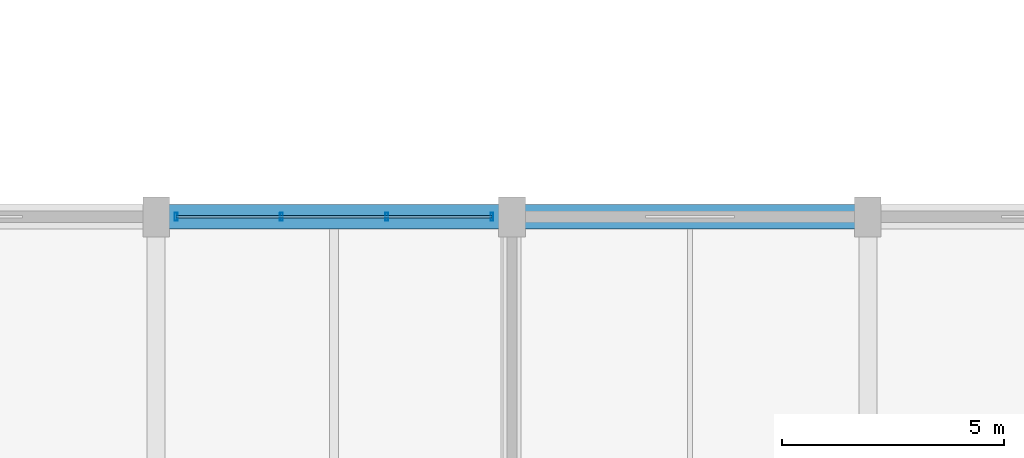
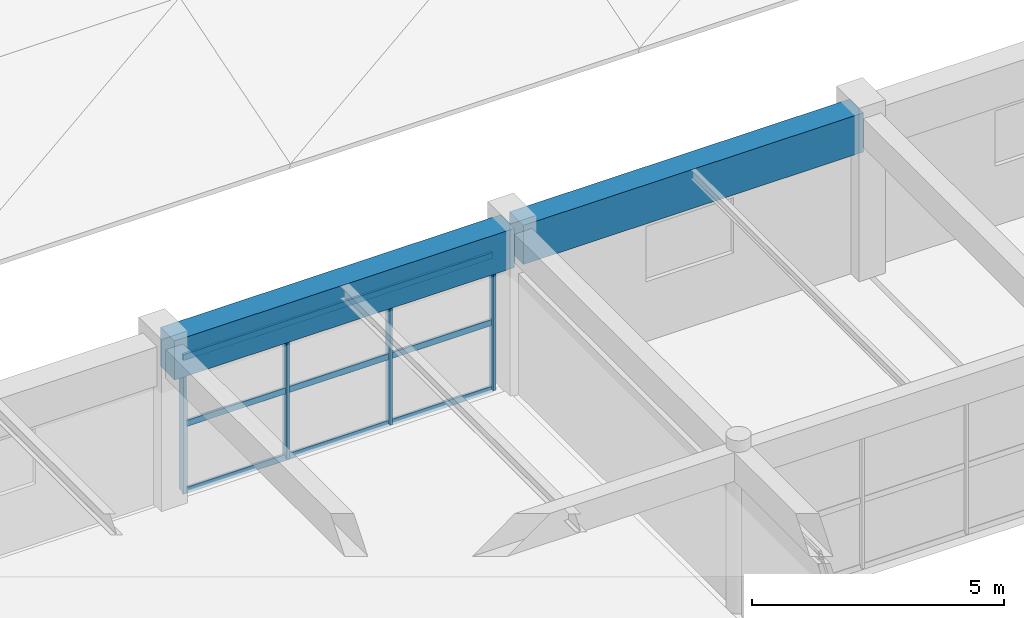
# One storey, part 24 of 63: 7 members, 2 beams, 1 element without a shape of its own.
"""IFC4 building model written with IfcOpenShell, lengths in metres."""

from ifc_helpers import new_model, si_unit, direction, frame, origin, origin_2d, place, context, subcontext, project, spatial, rectangle, hollow_rectangle, extrude, material, material_profile, profile_set, type_object, element, aggregate, save


model = new_model("IFC4")

# Units and contexts
model_context = context("Model", 3, precision=1e-05, world=origin(), true_north=direction((0.0, 1.0)))
body_context = subcontext(model_context, "Body", "Model", "MODEL_VIEW")
ifc_project = project(units=[si_unit("LENGTHUNIT", "METRE"), si_unit("AREAUNIT", "SQUARE_METRE"), si_unit("VOLUMEUNIT", "CUBIC_METRE"), si_unit("PLANEANGLEUNIT", "RADIAN"), si_unit("MASSUNIT", "GRAM", prefix="KILO")], contexts=[model_context])

# Site, building, storey
site_placement = place(None, origin())
site = spatial("IfcSite", under=ifc_project, at=site_placement, CompositionType="ELEMENT")
building_placement = place(site_placement, origin())
building = spatial("IfcBuilding", under=site, at=building_placement, Name="Varnabhumi Central Station", CompositionType="ELEMENT")
storey_placement = place(building_placement, frame((0.0, 0.0, 20.39990234375)))
storey = spatial("IfcBuildingStorey", under=building, at=storey_placement, Name="L04", CompositionType="ELEMENT", Elevation=20.39990234375)

# Beams
ifc_material_1 = material(Name="Concrete M40", Category="concrete")
ifc_material_profile_1 = material_profile(ifc_material_1, rectangle(XDim=0.550048828125, YDim=0.949951171875, at=origin_2d()), Name="Concrete M40", Category="concrete")
ifc_profile_set_1 = profile_set([ifc_material_profile_1], Name="Concrete M40")
beam_type = type_object("IfcBeamType", Name="BM-RC-550x950", PredefinedType="BEAM", material=ifc_profile_set_1)
for number, where, z_axis, x_axis, name in (
    (1, (104.10009765625, 36.0, 3.445068359375), (1.0, 0.0, 0.0), (0.0, 1.0, 0.0), "Beam L04-E:14-15"),
    (2, (112.10009765625, 36.0, 3.445068359375), (1.0, 0.0, 0.0), (0.0, 1.0, 0.0), "Beam L04-E:15-16"),
):
    element("IfcBeam", number, at=place(storey_placement, frame(where, z_axis=z_axis, x_axis=x_axis)), inside=storey, type_object=beam_type, Name=name, PredefinedType="BEAM", context=body_context, shape_type="SweptSolid", body=[
        extrude(rectangle(XDim=0.550048828125, YDim=0.949951171875, at=origin_2d()), origin(), (0.0, 0.0, 1.0), 7.7998046875),
    ])

# Curtain wall, members
ifc_material_2 = material(Name="Anodised aluminium 6063-T6", Category="aluminium")
curtain_wall_type = type_object("IfcCurtainWallType", Name="CW-SPINE-SCREEN-L0", PredefinedType="NOTDEFINED", material=ifc_material_2)
curtain_wall_placement = place(storey_placement, origin())
curtain_wall = element("IfcCurtainWall", 3, at=curtain_wall_placement, inside=storey, type_object=curtain_wall_type, Name="Curtain Wall CW-SS409", PredefinedType="NOTDEFINED")
ifc_material_profile_2 = material_profile(ifc_material_2, hollow_rectangle(XDim=0.06494140625, YDim=0.179931640625, WallThickness=0.00390625, InnerFilletRadius=0.001953125, OuterFilletRadius=0.006103515625, at=origin_2d()), Name="Anodised aluminium 6063-T6", Category="aluminium")
ifc_profile_set_2 = profile_set([ifc_material_profile_2], Name="Anodised aluminium 6063-T6")
member_type_1 = type_object("IfcMemberType", Name="CW-MUL-180", PredefinedType="MULLION", material=ifc_profile_set_2)
member_1_placement = place(storey_placement, frame((104.449951171875, 36.0, 0.0), z_axis=(0.0, 0.0, 1.0), x_axis=(1.0, 0.0, 0.0)))
member_1 = element("IfcMember", 4, at=member_1_placement, type_object=member_type_1, Name="Curtain Wall Mullion CW-SS409-M1", PredefinedType="MULLION", context=body_context, shape_type="SweptSolid", body=[
    extrude(hollow_rectangle(XDim=0.06494140625, YDim=0.179931640625, WallThickness=0.00390625, InnerFilletRadius=0.001953125, OuterFilletRadius=0.006103515625, at=origin_2d()), origin(), (0.0, 0.0, 1.0), 3.239990234375),
])
member_2_placement = place(storey_placement, frame((106.816650390625, 36.0, 0.0), z_axis=(0.0, 0.0, 1.0), x_axis=(1.0, 0.0, 0.0)))
member_2 = element("IfcMember", 5, at=member_2_placement, type_object=member_type_1, Name="Curtain Wall Mullion CW-SS409-M2", PredefinedType="MULLION", context=body_context, shape_type="SweptSolid", body=[
    extrude(hollow_rectangle(XDim=0.06494140625, YDim=0.179931640625, WallThickness=0.00390625, InnerFilletRadius=0.001953125, OuterFilletRadius=0.006103515625, at=origin_2d()), origin(), (0.0, 0.0, 1.0), 3.239990234375),
])
member_3_placement = place(storey_placement, frame((109.183349609375, 36.0, 0.0), z_axis=(0.0, 0.0, 1.0), x_axis=(1.0, 0.0, 0.0)))
member_3 = element("IfcMember", 6, at=member_3_placement, type_object=member_type_1, Name="Curtain Wall Mullion CW-SS409-M3", PredefinedType="MULLION", context=body_context, shape_type="SweptSolid", body=[
    extrude(hollow_rectangle(XDim=0.06494140625, YDim=0.179931640625, WallThickness=0.00390625, InnerFilletRadius=0.001953125, OuterFilletRadius=0.006103515625, at=origin_2d()), origin(), (0.0, 0.0, 1.0), 3.239990234375),
])
member_4_placement = place(storey_placement, frame((111.550048828125, 36.0, 0.0), z_axis=(0.0, 0.0, 1.0), x_axis=(1.0, 0.0, 0.0)))
member_4 = element("IfcMember", 7, at=member_4_placement, type_object=member_type_1, Name="Curtain Wall Mullion CW-SS409-M4", PredefinedType="MULLION", context=body_context, shape_type="SweptSolid", body=[
    extrude(hollow_rectangle(XDim=0.06494140625, YDim=0.179931640625, WallThickness=0.00390625, InnerFilletRadius=0.001953125, OuterFilletRadius=0.006103515625, at=origin_2d()), origin(), (0.0, 0.0, 1.0), 3.239990234375),
])
ifc_material_profile_3 = material_profile(ifc_material_2, hollow_rectangle(XDim=0.06005859375, YDim=0.14990234375, WallThickness=0.00390625, InnerFilletRadius=0.001953125, OuterFilletRadius=0.006103515625, at=origin_2d()), Name="Anodised aluminium 6063-T6", Category="aluminium")
ifc_profile_set_3 = profile_set([ifc_material_profile_3], Name="Anodised aluminium 6063-T6")
member_type_2 = type_object("IfcMemberType", Name="CW-TR-150", PredefinedType="USERDEFINED", material=ifc_profile_set_3)
member_5_placement = place(storey_placement, frame((104.449951171875, 36.0, 0.0), z_axis=(1.0, 0.0, 0.0), x_axis=(0.0, 1.0, 0.0)))
member_5 = element("IfcMember", 8, at=member_5_placement, type_object=member_type_2, Name="Curtain Wall Transom CW-SS409-T1", ObjectType="TRANSOM", PredefinedType="USERDEFINED", context=body_context, shape_type="SweptSolid", body=[
    extrude(hollow_rectangle(XDim=0.06005859375, YDim=0.14990234375, WallThickness=0.00390625, InnerFilletRadius=0.001953125, OuterFilletRadius=0.006103515625, at=origin_2d()), origin(), (0.0, 0.0, 1.0), 7.10009765625),
])
member_6_placement = place(storey_placement, frame((104.449951171875, 36.0, 1.6201171875), z_axis=(1.0, 0.0, 0.0), x_axis=(0.0, 1.0, 0.0)))
member_6 = element("IfcMember", 9, at=member_6_placement, type_object=member_type_2, Name="Curtain Wall Transom CW-SS409-T2", ObjectType="TRANSOM", PredefinedType="USERDEFINED", context=body_context, shape_type="SweptSolid", body=[
    extrude(hollow_rectangle(XDim=0.06005859375, YDim=0.14990234375, WallThickness=0.00390625, InnerFilletRadius=0.001953125, OuterFilletRadius=0.006103515625, at=origin_2d()), origin(), (0.0, 0.0, 1.0), 7.10009765625),
])
member_7_placement = place(storey_placement, frame((104.449951171875, 36.0, 3.239990234375), z_axis=(1.0, 0.0, 0.0), x_axis=(0.0, 1.0, 0.0)))
member_7 = element("IfcMember", 10, at=member_7_placement, type_object=member_type_2, Name="Curtain Wall Transom CW-SS409-T3", ObjectType="TRANSOM", PredefinedType="USERDEFINED", context=body_context, shape_type="SweptSolid", body=[
    extrude(hollow_rectangle(XDim=0.06005859375, YDim=0.14990234375, WallThickness=0.00390625, InnerFilletRadius=0.001953125, OuterFilletRadius=0.006103515625, at=origin_2d()), origin(), (0.0, 0.0, 1.0), 7.10009765625),
])
aggregate(curtain_wall, [member_1, member_2, member_3, member_4, member_5, member_6, member_7])

save(model, "model.ifc")
